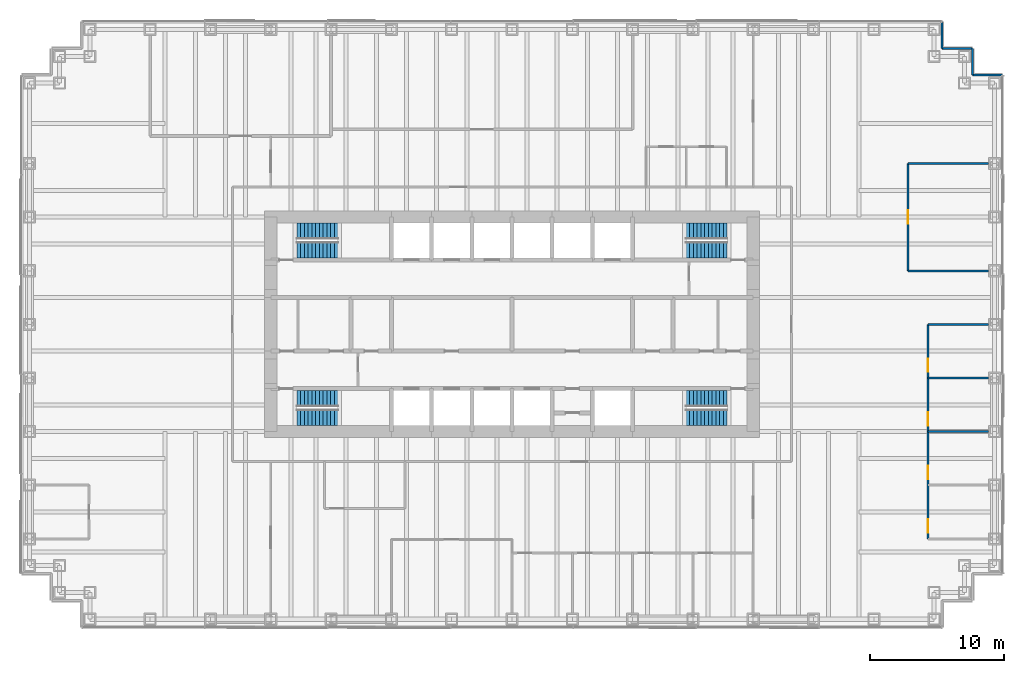
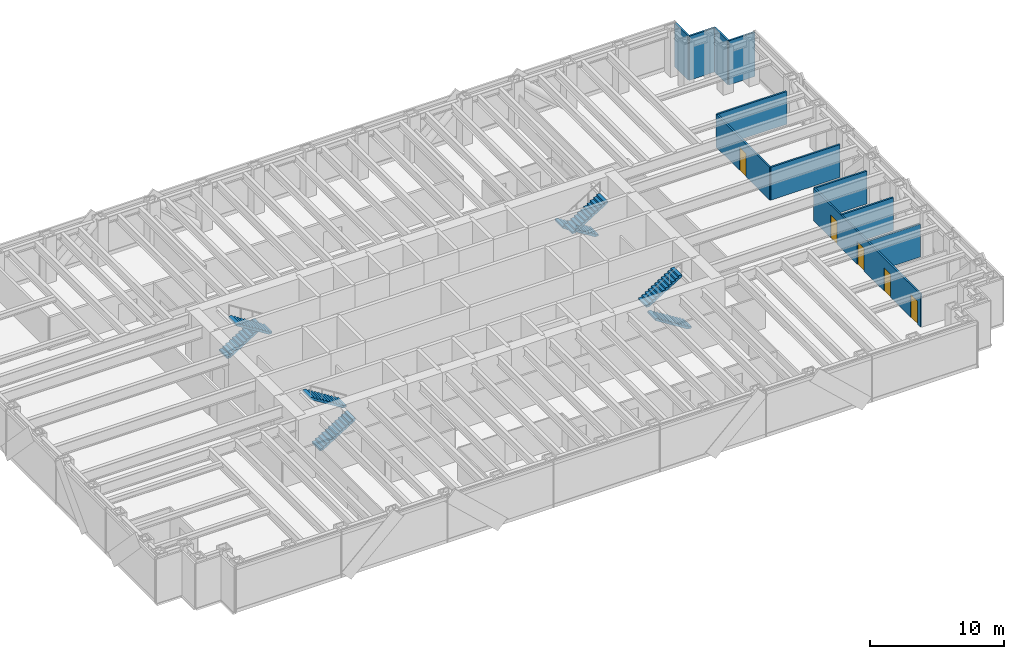
# One storey, part 14 of 15: 11 walls, 8 stair flights, 5 doors, 5 openings, 4 elements without a shape of their own.
"""IFC4 building model written with IfcOpenShell, lengths in metres."""

from ifc_helpers import new_model, si_unit, direction, frame, frame_2d, origin, place, context, subcontext, project, spatial, polyline, rectangle, outline, extrude, material, layer, layer_set, type_object, element, fill, aggregate, save


model = new_model("IFC4")

# Units and contexts
model_context = context("Model", 3, precision=1e-05, world=origin(), true_north=direction((0.0, 1.0)))
body_context = subcontext(model_context, "Body", "Model", "MODEL_VIEW")
ifc_project = project(units=[si_unit("LENGTHUNIT", "METRE"), si_unit("AREAUNIT", "SQUARE_METRE"), si_unit("VOLUMEUNIT", "CUBIC_METRE"), si_unit("PLANEANGLEUNIT", "RADIAN"), si_unit("MASSUNIT", "GRAM", prefix="KILO")], contexts=[model_context])

# Site, building, storey
site_placement = place(None, origin())
site = spatial("IfcSite", under=ifc_project, at=site_placement, CompositionType="ELEMENT")
building_placement = place(site_placement, origin())
building = spatial("IfcBuilding", under=site, at=building_placement, Name="Rheinbord Bourse Tower", CompositionType="ELEMENT")
storey_placement = place(building_placement, frame((0.0, 0.0, 134.10009765625)))
storey = spatial("IfcBuildingStorey", under=building, at=storey_placement, Name="L29", CompositionType="ELEMENT", Elevation=134.10009765625)

# Walls
ifc_material_1 = material(Name="Black metal rainscreen panel", Category="aluminium")
ifc_layer_1 = layer(ifc_material_1, 0.14990234375)
ifc_layer_set_1 = layer_set([ifc_layer_1], Name="CORNER PIER CLADDING 150")
wall_type_1 = type_object("IfcWallType", Name="CORNER PIER CLADDING 150", PredefinedType="ELEMENTEDWALL", material=ifc_layer_set_1)
wall_1_placement = place(storey_placement, frame((72.60009765625, 42.60009765625, 0.0), z_axis=(0.0, 0.0, 1.0), x_axis=(-1.0, 0.0, 0.0)))
element("IfcWall", 1, at=wall_1_placement, inside=storey, type_object=wall_type_1, Name="Corner pier cladding L29 7", PredefinedType="ELEMENTEDWALL", context=body_context, shape_type="SweptSolid", body=[
    extrude(rectangle(XDim=2.25, YDim=0.14990234375, at=frame_2d((1.125, 0.0))), origin(), (0.0, 0.0, 1.0), 4.039794921875),
])
wall_2_placement = place(storey_placement, frame((70.35009765625, 42.60009765625, 0.0), z_axis=(0.0, 0.0, 1.0), x_axis=(0.0, 1.0, 0.0)))
element("IfcWall", 2, at=wall_2_placement, inside=storey, type_object=wall_type_1, Name="Corner pier cladding L29 8", PredefinedType="ELEMENTEDWALL", context=body_context, shape_type="SweptSolid", body=[
    extrude(rectangle(XDim=2.0, YDim=0.14990234375, at=frame_2d((1.0, 0.0))), origin(), (0.0, 0.0, 1.0), 4.039794921875),
])
wall_3_placement = place(storey_placement, frame((70.35009765625, 44.60009765625, 0.0), z_axis=(0.0, 0.0, 1.0), x_axis=(-1.0, 0.0, 0.0)))
element("IfcWall", 3, at=wall_3_placement, inside=storey, type_object=wall_type_1, Name="Corner pier cladding L29 9", PredefinedType="ELEMENTEDWALL", context=body_context, shape_type="SweptSolid", body=[
    extrude(rectangle(XDim=2.25, YDim=0.14990234375, at=frame_2d((1.125, 0.0))), origin(), (0.0, 0.0, 1.0), 4.039794921875),
])
wall_4_placement = place(storey_placement, frame((68.10009765625, 44.60009765625, 0.0), z_axis=(0.0, 0.0, 1.0), x_axis=(0.0, 1.0, 0.0)))
element("IfcWall", 4, at=wall_4_placement, inside=storey, type_object=wall_type_1, Name="Corner pier cladding L29 10", PredefinedType="ELEMENTEDWALL", context=body_context, shape_type="SweptSolid", body=[
    extrude(rectangle(XDim=2.0, YDim=0.14990234375, at=frame_2d((1.0, 0.0))), origin(), (0.0, 0.0, 1.0), 4.039794921875),
])
ifc_material_2 = material(Name="Gypsum board partition", Category="gypsum board")
ifc_layer_2 = layer(ifc_material_2, 0.14990234375)
ifc_layer_set_2 = layer_set([ifc_layer_2], Name="PARTITION 150")
wall_type_2 = type_object("IfcWallType", Name="PARTITION 150", PredefinedType="PARTITIONING", material=ifc_layer_set_2)
for number, where, z_axis, x_axis, name in (
    (5, (67.050048828125, 16.0, 0.0), (0.0, 0.0, 1.0), (1.0, 0.0, 0.0), "Partition L29-11"),
    (6, (67.050048828125, 20.0, 0.0), (0.0, 0.0, 1.0), (1.0, 0.0, 0.0), "Partition L29-12"),
    (7, (67.050048828125, 24.0, 0.0), (0.0, 0.0, 1.0), (1.0, 0.0, 0.0), "Partition L29-13"),
):
    element("IfcWall", number, at=place(storey_placement, frame(where, z_axis=z_axis, x_axis=x_axis)), inside=storey, type_object=wall_type_2, Name=name, PredefinedType="PARTITIONING", context=body_context, shape_type="SweptSolid", body=[
        extrude(rectangle(XDim=4.5, YDim=0.14990234375, at=frame_2d((2.25, 0.0))), origin(), (0.0, 0.0, 1.0), 3.0),
    ])
for number, where, z_axis, x_axis, name in (
    (8, (65.550048828125, 28.0, 0.0), (0.0, 0.0, 1.0), (1.0, 0.0, 0.0), "Partition L29-14"),
    (9, (65.550048828125, 36.0, 0.0), (0.0, 0.0, 1.0), (1.0, 0.0, 0.0), "Partition L29-16"),
):
    element("IfcWall", number, at=place(storey_placement, frame(where, z_axis=z_axis, x_axis=x_axis)), inside=storey, type_object=wall_type_2, Name=name, PredefinedType="PARTITIONING", context=body_context, shape_type="SweptSolid", body=[
        extrude(rectangle(XDim=6.0, YDim=0.14990234375, at=frame_2d((3.0, 0.0))), origin(), (0.0, 0.0, 1.0), 3.0),
    ])

# Wall, opening, door
wall_5_placement = place(storey_placement, frame((65.550048828125, 28.0, 0.0), z_axis=(0.0, 0.0, 1.0), x_axis=(0.0, 1.0, 0.0)))
wall_5 = element("IfcWall", 10, at=wall_5_placement, inside=storey, type_object=wall_type_2, Name="Partition L29-42", PredefinedType="PARTITIONING", context=body_context, shape_type="SweptSolid", body=[
    extrude(rectangle(XDim=8.0, YDim=0.14990234375, at=frame_2d((4.0, 0.0))), origin(), (0.0, 0.0, 1.0), 3.0),
])
opening_1_placement = place(wall_5_placement, frame((3.5, 0.0, 0.0)))
opening_1 = element("IfcOpeningElement", 11, at=opening_1_placement, cuts=wall_5, Name="Opening 29D12", PredefinedType="OPENING", context=body_context, shape_type="SweptSolid", body=[
    extrude(rectangle(XDim=1.0, YDim=2.10009765625, at=frame_2d((0.5, 1.050048828125))), frame((0.0, 0.0849609375, 0.0), z_axis=(0.0, -1.0, 0.0), x_axis=(1.0, 0.0, 0.0)), (0.0, 0.0, 1.0), 0.169921875),
])
ifc_material_3 = material(Name="Timber door", Category="wood")
door_type = type_object("IfcDoorType", Name="ROOM DOOR 1000", OperationType="SINGLE_SWING_LEFT", PredefinedType="DOOR", material=ifc_material_3)
door_1_placement = place(opening_1_placement, origin())
door_1 = element("IfcDoor", 12, at=door_1_placement, inside=storey, type_object=door_type, Name="Pantry door L29", OperationType="SINGLE_SWING_LEFT", OverallHeight=2.10009765625, OverallWidth=1.0, PredefinedType="DOOR", context=body_context, shape_type="SweptSolid", body=[
    extrude(rectangle(XDim=1.0, YDim=2.10009765625, at=frame_2d((0.5, 1.050048828125))), frame((0.0, 0.02490234375, 0.0), z_axis=(0.0, -1.0, 0.0), x_axis=(1.0, 0.0, 0.0)), (0.0, 0.0, 1.0), 0.050048828125),
])
fill(opening_1, door_1)

# Wall, openings, doors
wall_6_placement = place(storey_placement, frame((67.050048828125, 8.0, 0.0), z_axis=(0.0, 0.0, 1.0), x_axis=(0.0, 1.0, 0.0)))
wall_6 = element("IfcWall", 13, at=wall_6_placement, inside=storey, type_object=wall_type_2, Name="Partition L29-43", PredefinedType="PARTITIONING", context=body_context, shape_type="SweptSolid", body=[
    extrude(rectangle(XDim=16.0, YDim=0.14990234375, at=frame_2d((8.0, 0.0))), origin(), (0.0, 0.0, 1.0), 3.0),
])
opening_2_placement = place(wall_6_placement, frame((0.449951171875, 0.0, 0.0)))
opening_2 = element("IfcOpeningElement", 14, at=opening_2_placement, cuts=wall_6, Name="Opening 29D07", PredefinedType="OPENING", context=body_context, shape_type="SweptSolid", body=[
    extrude(rectangle(XDim=1.0, YDim=2.10009765625, at=frame_2d((0.5, 1.050048828125))), frame((0.0, 0.0849609375, 0.0), z_axis=(0.0, -1.0, 0.0), x_axis=(1.0, 0.0, 0.0)), (0.0, 0.0, 1.0), 0.169921875),
])
opening_3_placement = place(wall_6_placement, frame((4.449951171875, 0.0, 0.0)))
opening_3 = element("IfcOpeningElement", 15, at=opening_3_placement, cuts=wall_6, Name="Opening 29D09", PredefinedType="OPENING", context=body_context, shape_type="SweptSolid", body=[
    extrude(rectangle(XDim=1.0, YDim=2.10009765625, at=frame_2d((0.5, 1.050048828125))), frame((0.0, 0.0849609375, 0.0), z_axis=(0.0, -1.0, 0.0), x_axis=(1.0, 0.0, 0.0)), (0.0, 0.0, 1.0), 0.169921875),
])
opening_4_placement = place(wall_6_placement, frame((8.449951171875, 0.0, 0.0)))
opening_4 = element("IfcOpeningElement", 16, at=opening_4_placement, cuts=wall_6, Name="Opening 29D10", PredefinedType="OPENING", context=body_context, shape_type="SweptSolid", body=[
    extrude(rectangle(XDim=1.0, YDim=2.10009765625, at=frame_2d((0.5, 1.050048828125))), frame((0.0, 0.0849609375, 0.0), z_axis=(0.0, -1.0, 0.0), x_axis=(1.0, 0.0, 0.0)), (0.0, 0.0, 1.0), 0.169921875),
])
opening_5_placement = place(wall_6_placement, frame((12.449951171875, 0.0, 0.0)))
opening_5 = element("IfcOpeningElement", 17, at=opening_5_placement, cuts=wall_6, Name="Opening 29D11", PredefinedType="OPENING", context=body_context, shape_type="SweptSolid", body=[
    extrude(rectangle(XDim=1.0, YDim=2.10009765625, at=frame_2d((0.5, 1.050048828125))), frame((0.0, 0.0849609375, 0.0), z_axis=(0.0, -1.0, 0.0), x_axis=(1.0, 0.0, 0.0)), (0.0, 0.0, 1.0), 0.169921875),
])
door_2_placement = place(opening_2_placement, origin())
door_2 = element("IfcDoor", 18, at=door_2_placement, inside=storey, type_object=door_type, Name="Office door L29", OperationType="SINGLE_SWING_LEFT", OverallHeight=2.10009765625, OverallWidth=1.0, PredefinedType="DOOR", context=body_context, shape_type="SweptSolid", body=[
    extrude(rectangle(XDim=1.0, YDim=2.10009765625, at=frame_2d((0.5, 1.050048828125))), frame((0.0, 0.02490234375, 0.0), z_axis=(0.0, -1.0, 0.0), x_axis=(1.0, 0.0, 0.0)), (0.0, 0.0, 1.0), 0.050048828125),
])
fill(opening_2, door_2)
door_3_placement = place(opening_3_placement, origin())
door_3 = element("IfcDoor", 19, at=door_3_placement, inside=storey, type_object=door_type, Name="Office door L29", OperationType="SINGLE_SWING_LEFT", OverallHeight=2.10009765625, OverallWidth=1.0, PredefinedType="DOOR", context=body_context, shape_type="SweptSolid", body=[
    extrude(rectangle(XDim=1.0, YDim=2.10009765625, at=frame_2d((0.5, 1.050048828125))), frame((0.0, 0.02490234375, 0.0), z_axis=(0.0, -1.0, 0.0), x_axis=(1.0, 0.0, 0.0)), (0.0, 0.0, 1.0), 0.050048828125),
])
fill(opening_3, door_3)
door_4_placement = place(opening_4_placement, origin())
door_4 = element("IfcDoor", 20, at=door_4_placement, inside=storey, type_object=door_type, Name="Office door L29", OperationType="SINGLE_SWING_RIGHT", OverallHeight=2.10009765625, OverallWidth=1.0, PredefinedType="DOOR", context=body_context, shape_type="SweptSolid", body=[
    extrude(rectangle(XDim=1.0, YDim=2.10009765625, at=frame_2d((0.5, 1.050048828125))), frame((0.0, 0.02490234375, 0.0), z_axis=(0.0, -1.0, 0.0), x_axis=(1.0, 0.0, 0.0)), (0.0, 0.0, 1.0), 0.050048828125),
])
fill(opening_4, door_4)
door_5_placement = place(opening_5_placement, origin())
door_5 = element("IfcDoor", 21, at=door_5_placement, inside=storey, type_object=door_type, Name="Office door L29", OperationType="SINGLE_SWING_RIGHT", OverallHeight=2.10009765625, OverallWidth=1.0, PredefinedType="DOOR", context=body_context, shape_type="SweptSolid", body=[
    extrude(rectangle(XDim=1.0, YDim=2.10009765625, at=frame_2d((0.5, 1.050048828125))), frame((0.0, 0.02490234375, 0.0), z_axis=(0.0, -1.0, 0.0), x_axis=(1.0, 0.0, 0.0)), (0.0, 0.0, 1.0), 0.050048828125),
])
fill(opening_5, door_5)

# Stair, stair flights
ifc_material_4 = material(Name="Concrete C30/37", Category="concrete")
stair_type = type_object("IfcStairType", Name="CORE STAIR HALF TURN 4200", PredefinedType="HALF_TURN_STAIR", material=ifc_material_4)
stair_1_placement = place(storey_placement, origin())
stair_1 = element("IfcStair", 22, at=stair_1_placement, inside=storey, type_object=stair_type, Name="Stair ST1 L29, type CS6", PredefinedType="HALF_TURN_STAIR")
ifc_material_5 = material(Name="Concrete C30/37", Category="concrete")
stair_flight_type = type_object("IfcStairFlightType", Name="CORE STAIR FLIGHT 1200, 12 RISERS", PredefinedType="STRAIGHT", material=ifc_material_5)
stair_flight_1_placement = place(storey_placement, frame((19.949951171875, 17.050048828125, 0.0), z_axis=(0.0, 0.0, 1.0), x_axis=(1.0, 0.0, 0.0)))
stair_flight_1 = element("IfcStairFlight", 23, at=stair_flight_1_placement, type_object=stair_flight_type, Name="STAIR L29 ST1 F1", NumberOfRisers=12, NumberOfTreads=11, PredefinedType="STRAIGHT", RiserHeight=0.175, TreadLength=0.28, context=body_context, shape_type="SweptSolid", body=[
    extrude(outline(polyline([(0.0, 0.0), (0.0, 0.175048828125), (0.280029296875, 0.175048828125), (0.280029296875, 0.35009765625), (0.56005859375, 0.35009765625), (0.56005859375, 0.52490234375), (0.840087890625, 0.52490234375), (0.840087890625, 0.699951171875), (1.1201171875, 0.699951171875), (1.1201171875, 0.875), (1.39990234375, 0.875), (1.39990234375, 1.050048828125), (1.679931640625, 1.050048828125), (1.679931640625, 1.22509765625), (1.9599609375, 1.22509765625), (1.9599609375, 1.39990234375), (2.239990234375, 1.39990234375), (2.239990234375, 1.574951171875), (2.52001953125, 1.574951171875), (2.52001953125, 1.75), (2.800048828125, 1.75), (2.800048828125, 1.925048828125), (3.080078125, 1.925048828125), (3.080078125, 2.10009765625), (3.080078125, 1.748291015625), (0.28271484375, 0.0), (0.0, 0.0)])), frame((0.0, 0.60009765625, 0.0), z_axis=(0.0, -1.0, 0.0), x_axis=(1.0, 0.0, 0.0)), (0.0, 0.0, 1.0), 1.199951171875),
])
stair_flight_2_placement = place(storey_placement, frame((23.030029296875, 18.449951171875, 2.099853515625), z_axis=(0.0, 0.0, 1.0), x_axis=(-1.0, 0.0, 0.0)))
stair_flight_2 = element("IfcStairFlight", 24, at=stair_flight_2_placement, type_object=stair_flight_type, Name="STAIR L29 ST1 F2", NumberOfRisers=12, NumberOfTreads=11, PredefinedType="STRAIGHT", RiserHeight=0.175, TreadLength=0.28, context=body_context, shape_type="SweptSolid", body=[
    extrude(outline(polyline([(0.0, 0.0), (0.0, 0.175048828125), (0.280029296875, 0.175048828125), (0.280029296875, 0.35009765625), (0.56005859375, 0.35009765625), (0.56005859375, 0.52490234375), (0.840087890625, 0.52490234375), (0.840087890625, 0.699951171875), (1.1201171875, 0.699951171875), (1.1201171875, 0.875), (1.39990234375, 0.875), (1.39990234375, 1.050048828125), (1.679931640625, 1.050048828125), (1.679931640625, 1.22509765625), (1.9599609375, 1.22509765625), (1.9599609375, 1.39990234375), (2.239990234375, 1.39990234375), (2.239990234375, 1.574951171875), (2.52001953125, 1.574951171875), (2.52001953125, 1.75), (2.800048828125, 1.75), (2.800048828125, 1.925048828125), (3.080078125, 1.925048828125), (3.080078125, 2.10009765625), (3.080078125, 1.748291015625), (0.28271484375, 0.0), (0.0, 0.0)])), frame((0.0, 0.60009765625, 0.0), z_axis=(0.0, -1.0, 0.0), x_axis=(1.0, 0.0, 0.0)), (0.0, 0.0, 1.0), 1.199951171875),
])
aggregate(stair_1, [stair_flight_1, stair_flight_2])

stair_2_placement = place(storey_placement, origin())
stair_2 = element("IfcStair", 25, at=stair_2_placement, inside=storey, type_object=stair_type, Name="Stair ST2 L29, type CS6", PredefinedType="HALF_TURN_STAIR")
stair_flight_3_placement = place(storey_placement, frame((19.949951171875, 30.949951171875, 0.0), z_axis=(0.0, 0.0, 1.0), x_axis=(1.0, 0.0, 0.0)))
stair_flight_3 = element("IfcStairFlight", 26, at=stair_flight_3_placement, type_object=stair_flight_type, Name="STAIR L29 ST2 F1", NumberOfRisers=12, NumberOfTreads=11, PredefinedType="STRAIGHT", RiserHeight=0.175, TreadLength=0.28, context=body_context, shape_type="SweptSolid", body=[
    extrude(outline(polyline([(0.0, 0.0), (0.0, 0.175048828125), (0.280029296875, 0.175048828125), (0.280029296875, 0.35009765625), (0.56005859375, 0.35009765625), (0.56005859375, 0.52490234375), (0.840087890625, 0.52490234375), (0.840087890625, 0.699951171875), (1.1201171875, 0.699951171875), (1.1201171875, 0.875), (1.39990234375, 0.875), (1.39990234375, 1.050048828125), (1.679931640625, 1.050048828125), (1.679931640625, 1.22509765625), (1.9599609375, 1.22509765625), (1.9599609375, 1.39990234375), (2.239990234375, 1.39990234375), (2.239990234375, 1.574951171875), (2.52001953125, 1.574951171875), (2.52001953125, 1.75), (2.800048828125, 1.75), (2.800048828125, 1.925048828125), (3.080078125, 1.925048828125), (3.080078125, 2.10009765625), (3.080078125, 1.748291015625), (0.28271484375, 0.0), (0.0, 0.0)])), frame((0.0, 0.60009765625, 0.0), z_axis=(0.0, -1.0, 0.0), x_axis=(1.0, 0.0, 0.0)), (0.0, 0.0, 1.0), 1.199951171875),
])
stair_flight_4_placement = place(storey_placement, frame((23.030029296875, 29.550048828125, 2.099853515625), z_axis=(0.0, 0.0, 1.0), x_axis=(-1.0, 0.0, 0.0)))
stair_flight_4 = element("IfcStairFlight", 27, at=stair_flight_4_placement, type_object=stair_flight_type, Name="STAIR L29 ST2 F2", NumberOfRisers=12, NumberOfTreads=11, PredefinedType="STRAIGHT", RiserHeight=0.175, TreadLength=0.28, context=body_context, shape_type="SweptSolid", body=[
    extrude(outline(polyline([(0.0, 0.0), (0.0, 0.175048828125), (0.280029296875, 0.175048828125), (0.280029296875, 0.35009765625), (0.56005859375, 0.35009765625), (0.56005859375, 0.52490234375), (0.840087890625, 0.52490234375), (0.840087890625, 0.699951171875), (1.1201171875, 0.699951171875), (1.1201171875, 0.875), (1.39990234375, 0.875), (1.39990234375, 1.050048828125), (1.679931640625, 1.050048828125), (1.679931640625, 1.22509765625), (1.9599609375, 1.22509765625), (1.9599609375, 1.39990234375), (2.239990234375, 1.39990234375), (2.239990234375, 1.574951171875), (2.52001953125, 1.574951171875), (2.52001953125, 1.75), (2.800048828125, 1.75), (2.800048828125, 1.925048828125), (3.080078125, 1.925048828125), (3.080078125, 2.10009765625), (3.080078125, 1.748291015625), (0.28271484375, 0.0), (0.0, 0.0)])), frame((0.0, 0.60009765625, 0.0), z_axis=(0.0, -1.0, 0.0), x_axis=(1.0, 0.0, 0.0)), (0.0, 0.0, 1.0), 1.199951171875),
])
aggregate(stair_2, [stair_flight_3, stair_flight_4])

stair_3_placement = place(storey_placement, origin())
stair_3 = element("IfcStair", 28, at=stair_3_placement, inside=storey, type_object=stair_type, Name="Stair ST3 L29, type CS6", PredefinedType="HALF_TURN_STAIR")
stair_flight_5_placement = place(storey_placement, frame((52.050048828125, 17.050048828125, 0.0), z_axis=(0.0, 0.0, 1.0), x_axis=(-1.0, 0.0, 0.0)))
stair_flight_5 = element("IfcStairFlight", 29, at=stair_flight_5_placement, type_object=stair_flight_type, Name="STAIR L29 ST3 F1", NumberOfRisers=12, NumberOfTreads=11, PredefinedType="STRAIGHT", RiserHeight=0.175, TreadLength=0.28, context=body_context, shape_type="SweptSolid", body=[
    extrude(outline(polyline([(0.0, 0.0), (0.0, 0.175048828125), (0.280029296875, 0.175048828125), (0.280029296875, 0.35009765625), (0.56005859375, 0.35009765625), (0.56005859375, 0.52490234375), (0.840087890625, 0.52490234375), (0.840087890625, 0.699951171875), (1.1201171875, 0.699951171875), (1.1201171875, 0.875), (1.39990234375, 0.875), (1.39990234375, 1.050048828125), (1.679931640625, 1.050048828125), (1.679931640625, 1.22509765625), (1.9599609375, 1.22509765625), (1.9599609375, 1.39990234375), (2.239990234375, 1.39990234375), (2.239990234375, 1.574951171875), (2.52001953125, 1.574951171875), (2.52001953125, 1.75), (2.800048828125, 1.75), (2.800048828125, 1.925048828125), (3.080078125, 1.925048828125), (3.080078125, 2.10009765625), (3.080078125, 1.748291015625), (0.28271484375, 0.0), (0.0, 0.0)])), frame((0.0, 0.60009765625, 0.0), z_axis=(0.0, -1.0, 0.0), x_axis=(1.0, 0.0, 0.0)), (0.0, 0.0, 1.0), 1.199951171875),
])
stair_flight_6_placement = place(storey_placement, frame((48.969970703125, 18.449951171875, 2.099853515625), z_axis=(0.0, 0.0, 1.0), x_axis=(1.0, 0.0, 0.0)))
stair_flight_6 = element("IfcStairFlight", 30, at=stair_flight_6_placement, type_object=stair_flight_type, Name="STAIR L29 ST3 F2", NumberOfRisers=12, NumberOfTreads=11, PredefinedType="STRAIGHT", RiserHeight=0.175, TreadLength=0.28, context=body_context, shape_type="SweptSolid", body=[
    extrude(outline(polyline([(0.0, 0.0), (0.0, 0.175048828125), (0.280029296875, 0.175048828125), (0.280029296875, 0.35009765625), (0.56005859375, 0.35009765625), (0.56005859375, 0.52490234375), (0.840087890625, 0.52490234375), (0.840087890625, 0.699951171875), (1.1201171875, 0.699951171875), (1.1201171875, 0.875), (1.39990234375, 0.875), (1.39990234375, 1.050048828125), (1.679931640625, 1.050048828125), (1.679931640625, 1.22509765625), (1.9599609375, 1.22509765625), (1.9599609375, 1.39990234375), (2.239990234375, 1.39990234375), (2.239990234375, 1.574951171875), (2.52001953125, 1.574951171875), (2.52001953125, 1.75), (2.800048828125, 1.75), (2.800048828125, 1.925048828125), (3.080078125, 1.925048828125), (3.080078125, 2.10009765625), (3.080078125, 1.748291015625), (0.28271484375, 0.0), (0.0, 0.0)])), frame((0.0, 0.60009765625, 0.0), z_axis=(0.0, -1.0, 0.0), x_axis=(1.0, 0.0, 0.0)), (0.0, 0.0, 1.0), 1.199951171875),
])
aggregate(stair_3, [stair_flight_5, stair_flight_6])

stair_4_placement = place(storey_placement, origin())
stair_4 = element("IfcStair", 31, at=stair_4_placement, inside=storey, type_object=stair_type, Name="Stair ST4 L29, type CS6", PredefinedType="HALF_TURN_STAIR")
stair_flight_7_placement = place(storey_placement, frame((52.050048828125, 30.949951171875, 0.0), z_axis=(0.0, 0.0, 1.0), x_axis=(-1.0, 0.0, 0.0)))
stair_flight_7 = element("IfcStairFlight", 32, at=stair_flight_7_placement, type_object=stair_flight_type, Name="STAIR L29 ST4 F1", NumberOfRisers=12, NumberOfTreads=11, PredefinedType="STRAIGHT", RiserHeight=0.175, TreadLength=0.28, context=body_context, shape_type="SweptSolid", body=[
    extrude(outline(polyline([(0.0, 0.0), (0.0, 0.175048828125), (0.280029296875, 0.175048828125), (0.280029296875, 0.35009765625), (0.56005859375, 0.35009765625), (0.56005859375, 0.52490234375), (0.840087890625, 0.52490234375), (0.840087890625, 0.699951171875), (1.1201171875, 0.699951171875), (1.1201171875, 0.875), (1.39990234375, 0.875), (1.39990234375, 1.050048828125), (1.679931640625, 1.050048828125), (1.679931640625, 1.22509765625), (1.9599609375, 1.22509765625), (1.9599609375, 1.39990234375), (2.239990234375, 1.39990234375), (2.239990234375, 1.574951171875), (2.52001953125, 1.574951171875), (2.52001953125, 1.75), (2.800048828125, 1.75), (2.800048828125, 1.925048828125), (3.080078125, 1.925048828125), (3.080078125, 2.10009765625), (3.080078125, 1.748291015625), (0.28271484375, 0.0), (0.0, 0.0)])), frame((0.0, 0.60009765625, 0.0), z_axis=(0.0, -1.0, 0.0), x_axis=(1.0, 0.0, 0.0)), (0.0, 0.0, 1.0), 1.199951171875),
])
stair_flight_8_placement = place(storey_placement, frame((48.969970703125, 29.550048828125, 2.099853515625), z_axis=(0.0, 0.0, 1.0), x_axis=(1.0, 0.0, 0.0)))
stair_flight_8 = element("IfcStairFlight", 33, at=stair_flight_8_placement, type_object=stair_flight_type, Name="STAIR L29 ST4 F2", NumberOfRisers=12, NumberOfTreads=11, PredefinedType="STRAIGHT", RiserHeight=0.175, TreadLength=0.28, context=body_context, shape_type="SweptSolid", body=[
    extrude(outline(polyline([(0.0, 0.0), (0.0, 0.175048828125), (0.280029296875, 0.175048828125), (0.280029296875, 0.35009765625), (0.56005859375, 0.35009765625), (0.56005859375, 0.52490234375), (0.840087890625, 0.52490234375), (0.840087890625, 0.699951171875), (1.1201171875, 0.699951171875), (1.1201171875, 0.875), (1.39990234375, 0.875), (1.39990234375, 1.050048828125), (1.679931640625, 1.050048828125), (1.679931640625, 1.22509765625), (1.9599609375, 1.22509765625), (1.9599609375, 1.39990234375), (2.239990234375, 1.39990234375), (2.239990234375, 1.574951171875), (2.52001953125, 1.574951171875), (2.52001953125, 1.75), (2.800048828125, 1.75), (2.800048828125, 1.925048828125), (3.080078125, 1.925048828125), (3.080078125, 2.10009765625), (3.080078125, 1.748291015625), (0.28271484375, 0.0), (0.0, 0.0)])), frame((0.0, 0.60009765625, 0.0), z_axis=(0.0, -1.0, 0.0), x_axis=(1.0, 0.0, 0.0)), (0.0, 0.0, 1.0), 1.199951171875),
])
aggregate(stair_4, [stair_flight_7, stair_flight_8])

save(model, "model.ifc")
